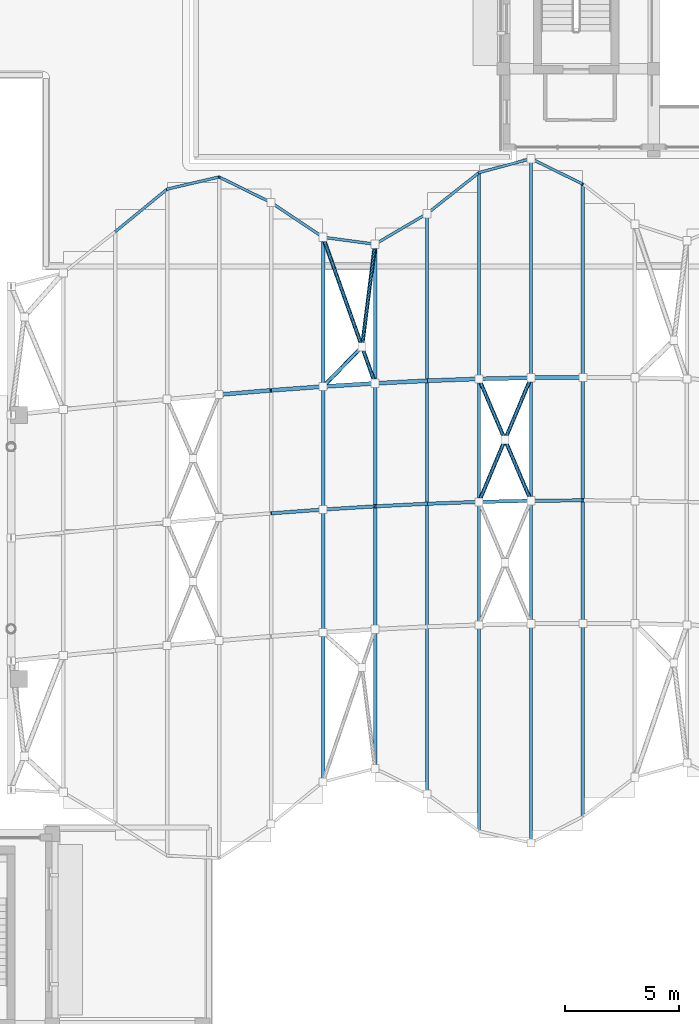
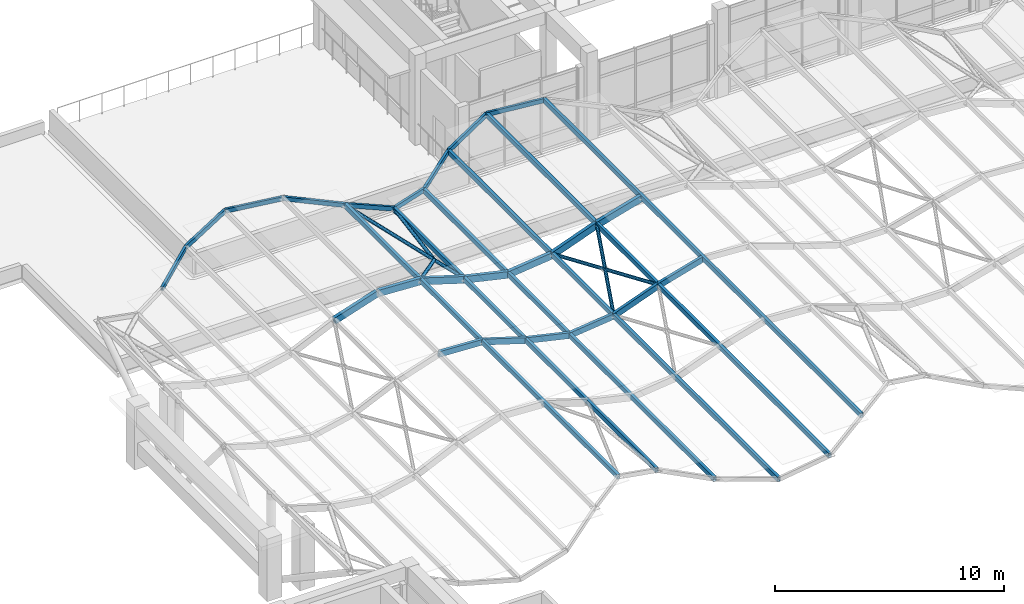
# One storey, part 11 of 79: 34 members.
"""IFC4 building model written with IfcOpenShell, lengths in metres."""

from ifc_helpers import new_model, si_unit, direction, frame, origin, origin_2d, place, context, subcontext, project, spatial, hollow_rectangle, hollow_circle, extrude, material, material_profile, profile_set, type_object, element, save


model = new_model("IFC4")

# Units and contexts
model_context = context("Model", 3, precision=1e-05, world=origin(), true_north=direction((0.0, 1.0)))
body_context = subcontext(model_context, "Body", "Model", "MODEL_VIEW")
ifc_project = project(units=[si_unit("LENGTHUNIT", "METRE"), si_unit("AREAUNIT", "SQUARE_METRE"), si_unit("VOLUMEUNIT", "CUBIC_METRE"), si_unit("PLANEANGLEUNIT", "RADIAN"), si_unit("MASSUNIT", "GRAM", prefix="KILO")], contexts=[model_context])

# Site, building, storey
site_placement = place(None, origin())
site = spatial("IfcSite", under=ifc_project, at=site_placement, CompositionType="ELEMENT")
building_placement = place(site_placement, origin())
building = spatial("IfcBuilding", under=site, at=building_placement, Name="Kolvaren Faculty of Natural Sciences", CompositionType="ELEMENT")
storey_placement = place(building_placement, frame((0.0, 0.0, 10.199951171875)))
storey = spatial("IfcBuildingStorey", under=building, at=storey_placement, Name="L02", CompositionType="ELEMENT", Elevation=10.199951171875)

# Members
ifc_material = material(Name="Structural steel EN 10210-1 S355J2H (white architectural finish)", Category="steel")
ifc_material_profile_1 = material_profile(ifc_material, hollow_circle(Radius=0.084228515625, WallThickness=0.008056640625, at=origin_2d()), Name="CHS 168.3x8")
ifc_profile_set_1 = profile_set([ifc_material_profile_1], Name="Structural steel EN 10210-1 S355J2H (white architectural finish)")
member_type_1 = type_object("IfcMemberType", Name="CanopyGridCrossBrace_CHS168", PredefinedType="BRACE", material=ifc_profile_set_1)
member_1_placement = place(storey_placement, frame((51.69091796875, 68.401123046875, 3.81494140625), z_axis=(0.332884211392, -0.93560908034, -0.117574447015), x_axis=(0.942143722163, 0.335209198543, 0.0)))
element("IfcMember", 1, at=member_1_placement, inside=storey, type_object=member_type_1, Name="Canopy X-brace continuous diagonal N1-7-A", PredefinedType="BRACE", context=body_context, shape_type="SweptSolid", body=[
    extrude(hollow_circle(Radius=0.084228515625, WallThickness=0.008056640625, at=origin_2d()), origin(), (0.0, 0.0, 1.0), 6.8544921875),
])
member_2_placement = place(storey_placement, frame((51.69091796875, 61.846923828125, 3.81494140625), z_axis=(0.679840541892, 0.692933048762, -0.240126274141), x_axis=(-0.713818183124, 0.700331065598, 0.0)))
element("IfcMember", 2, at=member_2_placement, inside=storey, type_object=member_type_1, Name="Canopy X-brace split diagonal N1-7-B1", PredefinedType="BRACE", context=body_context, shape_type="SweptSolid", body=[
    extrude(hollow_circle(Radius=0.084228515625, WallThickness=0.008056640625, at=origin_2d()), origin(), (0.0, 0.0, 1.0), 2.517333984375),
])
member_3_placement = place(storey_placement, frame((53.40234375, 63.59130859375, 3.21044921875), z_axis=(0.125446176501, 0.991110716395, -0.044303551204), x_axis=(-0.992084828985, 0.125569471202, 0.0)))
element("IfcMember", 3, at=member_3_placement, inside=storey, type_object=member_type_1, Name="Canopy X-brace split diagonal N1-7-B2", PredefinedType="BRACE", context=body_context, shape_type="SweptSolid", body=[
    extrude(hollow_circle(Radius=0.084228515625, WallThickness=0.008056640625, at=origin_2d()), origin(), (0.0, 0.0, 1.0), 4.54638671875),
])
member_4_placement = place(storey_placement, frame((58.536376953125, 62.18310546875, 2.59423828125), z_axis=(0.388749220671, -0.911476746476, 0.134477448152), x_axis=(0.919831897508, 0.392312732812, 0.0)))
element("IfcMember", 4, at=member_4_placement, inside=storey, type_object=member_type_1, Name="Canopy X-brace continuous diagonal N2-10-A", PredefinedType="BRACE", context=body_context, shape_type="SweptSolid", body=[
    extrude(hollow_circle(Radius=0.084228515625, WallThickness=0.008056640625, at=origin_2d()), origin(), (0.0, 0.0, 1.0), 5.869384765625),
])
member_5_placement = place(storey_placement, frame((58.536376953125, 56.783203125, 2.59423828125), z_axis=(0.382773309576, 0.914298241277, 0.132451196573), x_axis=(-0.922425243002, 0.386175699744, 0.0)))
element("IfcMember", 5, at=member_5_placement, inside=storey, type_object=member_type_1, Name="Canopy X-brace split diagonal N2-10-B1", PredefinedType="BRACE", context=body_context, shape_type="SweptSolid", body=[
    extrude(hollow_circle(Radius=0.084228515625, WallThickness=0.008056640625, at=origin_2d()), origin(), (0.0, 0.0, 1.0), 2.98046875),
])
member_6_placement = place(storey_placement, frame((59.67724609375, 59.50830078125, 2.989013671875), z_axis=(0.382806130599, 0.914294719371, 0.132380634934), x_axis=(-0.922412917384, 0.386205139587, 0.0)))
element("IfcMember", 6, at=member_6_placement, inside=storey, type_object=member_type_1, Name="Canopy X-brace split diagonal N2-10-B2", PredefinedType="BRACE", context=body_context, shape_type="SweptSolid", body=[
    extrude(hollow_circle(Radius=0.084228515625, WallThickness=0.008056640625, at=origin_2d()), origin(), (0.0, 0.0, 1.0), 2.980224609375),
])
ifc_material_profile_2 = material_profile(ifc_material, hollow_rectangle(XDim=0.14990234375, YDim=0.300048828125, WallThickness=0.010009765625, at=origin_2d()), Name="RHS 300x150x10")
ifc_profile_set_2 = profile_set([ifc_material_profile_2], Name="Structural steel EN 10210-1 S355J2H (white architectural finish)")
member_type_2 = type_object("IfcMemberType", Name="CanopyRidgeChord_RHS300", PredefinedType="PURLIN", material=ifc_profile_set_2)
member_7_placement = place(storey_placement, frame((49.4091796875, 56.280517578125, 4.029541015625), z_axis=(0.991927531578, 0.072383327256, -0.104117366625), x_axis=(-0.072778879193, 0.997348101088, 0.0)))
element("IfcMember", 7, at=member_7_placement, inside=storey, type_object=member_type_2, Name="Covered street wave canopy ridge chord 6", PredefinedType="PURLIN", context=body_context, shape_type="SweptSolid", body=[
    extrude(hollow_rectangle(XDim=0.14990234375, YDim=0.300048828125, WallThickness=0.010009765625, at=origin_2d()), origin(), (0.0, 0.0, 1.0), 2.30029296875),
])
member_8_placement = place(storey_placement, frame((51.69091796875, 56.447021484375, 3.7900390625), z_axis=(0.941283286718, 0.058213325457, -0.332561246816), x_axis=(-0.061726707173, 0.998093088655, 0.0)))
element("IfcMember", 8, at=member_8_placement, inside=storey, type_object=member_type_2, Name="Covered street wave canopy ridge chord 7", PredefinedType="PURLIN", context=body_context, shape_type="SweptSolid", body=[
    extrude(hollow_rectangle(XDim=0.14990234375, YDim=0.300048828125, WallThickness=0.010009765625, at=origin_2d()), origin(), (0.0, 0.0, 1.0), 2.424072265625),
])
member_9_placement = place(storey_placement, frame((53.97265625, 56.588134765625, 2.98388671875), z_axis=(0.966186136082, 0.0477613947, -0.253383503053), x_axis=(-0.049372625492, 0.998780428248, 0.0)))
element("IfcMember", 9, at=member_9_placement, inside=storey, type_object=member_type_2, Name="Covered street wave canopy ridge chord 8", PredefinedType="PURLIN", context=body_context, shape_type="SweptSolid", body=[
    extrude(hollow_rectangle(XDim=0.14990234375, YDim=0.300048828125, WallThickness=0.010009765625, at=origin_2d()), origin(), (0.0, 0.0, 1.0), 2.361572265625),
])
member_10_placement = place(storey_placement, frame((56.25439453125, 56.700927734375, 2.385498046875), z_axis=(0.996136159182, 0.035915040724, 0.080142761496), x_axis=(-0.036030937997, 0.999350674942, 0.0)))
element("IfcMember", 10, at=member_10_placement, inside=storey, type_object=member_type_2, Name="Covered street wave canopy ridge chord 9", PredefinedType="PURLIN", context=body_context, shape_type="SweptSolid", body=[
    extrude(hollow_rectangle(XDim=0.14990234375, YDim=0.300048828125, WallThickness=0.010009765625, at=origin_2d()), origin(), (0.0, 0.0, 1.0), 2.290771484375),
])
member_11_placement = place(storey_placement, frame((58.536376953125, 56.783203125, 2.569091796875), z_axis=(0.944819171734, 0.020724152601, 0.326936143953), x_axis=(-0.021929242743, 0.999759525242, 0.0)))
element("IfcMember", 11, at=member_11_placement, inside=storey, type_object=member_type_2, Name="Covered street wave canopy ridge chord 10", PredefinedType="PURLIN", context=body_context, shape_type="SweptSolid", body=[
    extrude(hollow_rectangle(XDim=0.14990234375, YDim=0.300048828125, WallThickness=0.010009765625, at=origin_2d()), origin(), (0.0, 0.0, 1.0), 2.4150390625),
])
member_12_placement = place(storey_placement, frame((60.818115234375, 56.833251953125, 3.358642578125), z_axis=(0.96313099704, 0.007109878977, 0.268938900425), x_axis=(-0.007381846583, 0.999972753799, 0.0)))
element("IfcMember", 12, at=member_12_placement, inside=storey, type_object=member_type_2, Name="Covered street wave canopy ridge chord 11", PredefinedType="PURLIN", context=body_context, shape_type="SweptSolid", body=[
    extrude(hollow_rectangle(XDim=0.14990234375, YDim=0.300048828125, WallThickness=0.010009765625, at=origin_2d()), origin(), (0.0, 0.0, 1.0), 2.369384765625),
])
ifc_material_profile_3 = material_profile(ifc_material, hollow_rectangle(XDim=0.175048828125, YDim=0.35009765625, WallThickness=0.012451171875, at=origin_2d()), Name="RHS 350x175x12.5")
ifc_profile_set_3 = profile_set([ifc_material_profile_3], Name="Structural steel EN 10210-1 S355J2H (white architectural finish)")
member_type_3 = type_object("IfcMemberType", Name="CanopySpineChord_RHS350", PredefinedType="PURLIN", material=ifc_profile_set_3)
member_13_placement = place(storey_placement, frame((47.127197265625, 61.4921875, 3.447509765625), z_axis=(0.968362548288, 0.079876701052, 0.236418458885), x_axis=(-0.082207164613, 0.99661526282, 0.0)))
element("IfcMember", 13, at=member_13_placement, inside=storey, type_object=member_type_3, Name="Covered street wave canopy n-spine chord 5", PredefinedType="PURLIN", context=body_context, shape_type="SweptSolid", body=[
    extrude(hollow_rectangle(XDim=0.175048828125, YDim=0.35009765625, WallThickness=0.012451171875, at=origin_2d()), origin(), (0.0, 0.0, 1.0), 2.3564453125),
])
member_14_placement = place(storey_placement, frame((49.4091796875, 61.680419921875, 4.004638671875), z_axis=(0.991916564994, 0.072382526998, -0.104222348258), x_axis=(-0.072778879193, 0.997348101088, 0.0)))
element("IfcMember", 14, at=member_14_placement, inside=storey, type_object=member_type_3, Name="Covered street wave canopy n-spine chord 6", PredefinedType="PURLIN", context=body_context, shape_type="SweptSolid", body=[
    extrude(hollow_rectangle(XDim=0.175048828125, YDim=0.35009765625, WallThickness=0.012451171875, at=origin_2d()), origin(), (0.0, 0.0, 1.0), 2.30029296875),
])
member_15_placement = place(storey_placement, frame((51.69091796875, 61.846923828125, 3.764892578125), z_axis=(0.941314810812, 0.058215275053, -0.332471666006), x_axis=(-0.061726707173, 0.998093088655, 0.0)))
element("IfcMember", 15, at=member_15_placement, inside=storey, type_object=member_type_3, Name="Covered street wave canopy n-spine chord 7", PredefinedType="PURLIN", context=body_context, shape_type="SweptSolid", body=[
    extrude(hollow_rectangle(XDim=0.175048828125, YDim=0.35009765625, WallThickness=0.012451171875, at=origin_2d()), origin(), (0.0, 0.0, 1.0), 2.424072265625),
])
member_16_placement = place(storey_placement, frame((53.97265625, 61.988037109375, 2.958984375), z_axis=(0.966160822962, 0.047760143399, -0.25348024159), x_axis=(-0.049372625492, 0.998780428248, 0.0)))
element("IfcMember", 16, at=member_16_placement, inside=storey, type_object=member_type_3, Name="Covered street wave canopy n-spine chord 8", PredefinedType="PURLIN", context=body_context, shape_type="SweptSolid", body=[
    extrude(hollow_rectangle(XDim=0.175048828125, YDim=0.35009765625, WallThickness=0.012451171875, at=origin_2d()), origin(), (0.0, 0.0, 1.0), 2.361572265625),
])
member_17_placement = place(storey_placement, frame((56.25439453125, 62.100830078125, 2.3603515625), z_axis=(0.996127645595, 0.035914733772, 0.080248648458), x_axis=(-0.036030937997, 0.999350674942, 0.0)))
element("IfcMember", 17, at=member_17_placement, inside=storey, type_object=member_type_3, Name="Covered street wave canopy n-spine chord 9", PredefinedType="PURLIN", context=body_context, shape_type="SweptSolid", body=[
    extrude(hollow_rectangle(XDim=0.175048828125, YDim=0.35009765625, WallThickness=0.012451171875, at=origin_2d()), origin(), (0.0, 0.0, 1.0), 2.290771484375),
])
member_18_placement = place(storey_placement, frame((58.536376953125, 62.18310546875, 2.544189453125), z_axis=(0.944819171734, 0.020724152601, 0.326936143953), x_axis=(-0.021929242743, 0.999759525242, 0.0)))
element("IfcMember", 18, at=member_18_placement, inside=storey, type_object=member_type_3, Name="Covered street wave canopy n-spine chord 10", PredefinedType="PURLIN", context=body_context, shape_type="SweptSolid", body=[
    extrude(hollow_rectangle(XDim=0.175048828125, YDim=0.35009765625, WallThickness=0.012451171875, at=origin_2d()), origin(), (0.0, 0.0, 1.0), 2.4150390625),
])
member_19_placement = place(storey_placement, frame((60.818115234375, 62.233154296875, 3.333740234375), z_axis=(0.96313099704, 0.007109878977, 0.268938900425), x_axis=(-0.007381846583, 0.999972753799, 0.0)))
element("IfcMember", 19, at=member_19_placement, inside=storey, type_object=member_type_3, Name="Covered street wave canopy n-spine chord 11", PredefinedType="PURLIN", context=body_context, shape_type="SweptSolid", body=[
    extrude(hollow_rectangle(XDim=0.175048828125, YDim=0.35009765625, WallThickness=0.012451171875, at=origin_2d()), origin(), (0.0, 0.0, 1.0), 2.369384765625),
])
ifc_material_profile_4 = material_profile(ifc_material, hollow_rectangle(XDim=0.14990234375, YDim=0.25, WallThickness=0.010009765625, at=origin_2d()), Name="RHS 250x150x10")
ifc_profile_set_4 = profile_set([ifc_material_profile_4], Name="Structural steel EN 10210-1 S355J2H (white architectural finish)")
member_type_4 = type_object("IfcMemberType", Name="CanopyTransverseRafter_RHS250", PredefinedType="RAFTER", material=ifc_profile_set_4)
member_20_placement = place(storey_placement, frame((51.69091796875, 44.492919921875, 3.81494140625), z_axis=(0.0, 1.0, 0.0), x_axis=(-1.0, 0.0, 0.0)))
element("IfcMember", 20, at=member_20_placement, inside=storey, type_object=member_type_4, Name="Covered street canopy transverse rafter 7", PredefinedType="RAFTER", context=body_context, shape_type="SweptSolid", body=[
    extrude(hollow_rectangle(XDim=0.14990234375, YDim=0.25, WallThickness=0.010009765625, at=origin_2d()), origin(), (0.0, 0.0, 1.0), 23.908203125),
])
member_21_placement = place(storey_placement, frame((53.97265625, 45.0791015625, 3.009033203125), z_axis=(0.0, 1.0, 0.0), x_axis=(-1.0, 0.0, 0.0)))
element("IfcMember", 21, at=member_21_placement, inside=storey, type_object=member_type_4, Name="Covered street canopy transverse rafter 8", PredefinedType="RAFTER", context=body_context, shape_type="SweptSolid", body=[
    extrude(hollow_rectangle(XDim=0.14990234375, YDim=0.25, WallThickness=0.010009765625, at=origin_2d()), origin(), (0.0, 0.0, 1.0), 23.01806640625),
])
member_22_placement = place(storey_placement, frame((56.25439453125, 43.965087890625, 2.410400390625), z_axis=(0.0, 1.0, 0.0), x_axis=(-1.0, 0.0, 0.0)))
element("IfcMember", 22, at=member_22_placement, inside=storey, type_object=member_type_4, Name="Covered street canopy transverse rafter 9", PredefinedType="RAFTER", context=body_context, shape_type="SweptSolid", body=[
    extrude(hollow_rectangle(XDim=0.14990234375, YDim=0.25, WallThickness=0.010009765625, at=origin_2d()), origin(), (0.0, 0.0, 1.0), 25.4716796875),
])
member_23_placement = place(storey_placement, frame((58.536376953125, 42.326904296875, 2.59423828125), z_axis=(0.0, 1.0, 0.0), x_axis=(-1.0, 0.0, 0.0)))
element("IfcMember", 23, at=member_23_placement, inside=storey, type_object=member_type_4, Name="Covered street canopy transverse rafter 10", PredefinedType="RAFTER", context=body_context, shape_type="SweptSolid", body=[
    extrude(hollow_rectangle(XDim=0.14990234375, YDim=0.25, WallThickness=0.010009765625, at=origin_2d()), origin(), (0.0, 0.0, 1.0), 28.91259765625),
])
member_24_placement = place(storey_placement, frame((60.818115234375, 41.814697265625, 3.383544921875), z_axis=(0.0, 1.0, 0.0), x_axis=(-1.0, 0.0, 0.0)))
element("IfcMember", 24, at=member_24_placement, inside=storey, type_object=member_type_4, Name="Covered street canopy transverse rafter 11", PredefinedType="RAFTER", context=body_context, shape_type="SweptSolid", body=[
    extrude(hollow_rectangle(XDim=0.14990234375, YDim=0.25, WallThickness=0.010009765625, at=origin_2d()), origin(), (0.0, 0.0, 1.0), 30.036865234375),
])
member_25_placement = place(storey_placement, frame((63.10009765625, 42.967529296875, 4.020751953125), z_axis=(0.0, 1.0, 0.0), x_axis=(-1.0, 0.0, 0.0)))
element("IfcMember", 25, at=member_25_placement, inside=storey, type_object=member_type_4, Name="Covered street canopy transverse rafter 12", PredefinedType="RAFTER", context=body_context, shape_type="SweptSolid", body=[
    extrude(hollow_rectangle(XDim=0.14990234375, YDim=0.25, WallThickness=0.010009765625, at=origin_2d()), origin(), (0.0, 0.0, 1.0), 27.764892578125),
])
ifc_material_profile_5 = material_profile(ifc_material, hollow_rectangle(XDim=0.1201171875, YDim=0.219970703125, WallThickness=0.008056640625, at=origin_2d()), Name="RHS 220x120x8")
ifc_profile_set_5 = profile_set([ifc_material_profile_5], Name="Structural steel EN 10210-1 S355J2H (white architectural finish)")
member_type_5 = type_object("IfcMemberType", Name="CanopyWaveEdgeChord_RHS220", PredefinedType="RAFTER", material=ifc_profile_set_5)
member_26_placement = place(storey_placement, frame((42.563720703125, 68.644287109375, 2.399658203125), z_axis=(0.769521849776, 0.630866297131, 0.099216116946), x_axis=(-0.633994483964, 0.773337568145, 0.0)))
element("IfcMember", 26, at=member_26_placement, inside=storey, type_object=member_type_5, Name="Covered street wave canopy n-wave chord 3", PredefinedType="RAFTER", context=body_context, shape_type="SweptSolid", body=[
    extrude(hollow_rectangle(XDim=0.1201171875, YDim=0.219970703125, WallThickness=0.008056640625, at=origin_2d()), origin(), (0.0, 0.0, 1.0), 2.965087890625),
])
member_27_placement = place(storey_placement, frame((44.845458984375, 70.514892578125, 2.69384765625), z_axis=(0.919360461133, 0.214445303367, 0.329832615684), x_axis=(-0.227157146751, 0.973858116298, 0.0)))
element("IfcMember", 27, at=member_27_placement, inside=storey, type_object=member_type_5, Name="Covered street wave canopy n-wave chord 4", PredefinedType="RAFTER", context=body_context, shape_type="SweptSolid", body=[
    extrude(hollow_rectangle(XDim=0.1201171875, YDim=0.219970703125, WallThickness=0.008056640625, at=origin_2d()), origin(), (0.0, 0.0, 1.0), 2.48193359375),
])
member_28_placement = place(storey_placement, frame((47.127197265625, 71.047119140625, 3.512451171875), z_axis=(0.876414688303, -0.431409434138, 0.213970077962), x_axis=(0.441637667544, 0.897193496748, 0.0)))
element("IfcMember", 28, at=member_28_placement, inside=storey, type_object=member_type_5, Name="Covered street wave canopy n-wave chord 5", PredefinedType="RAFTER", context=body_context, shape_type="SweptSolid", body=[
    extrude(hollow_rectangle(XDim=0.1201171875, YDim=0.219970703125, WallThickness=0.008056640625, at=origin_2d()), origin(), (0.0, 0.0, 1.0), 2.603759765625),
])
member_29_placement = place(storey_placement, frame((49.4091796875, 69.923828125, 4.069580078125), z_axis=(0.828631387229, -0.552982448336, -0.087065698936), x_axis=(0.555090364136, 0.831790050219, 0.0)))
element("IfcMember", 29, at=member_29_placement, inside=storey, type_object=member_type_5, Name="Covered street wave canopy n-wave chord 6", PredefinedType="RAFTER", context=body_context, shape_type="SweptSolid", body=[
    extrude(hollow_rectangle(XDim=0.1201171875, YDim=0.219970703125, WallThickness=0.008056640625, at=origin_2d()), origin(), (0.0, 0.0, 1.0), 2.753662109375),
])
member_30_placement = place(storey_placement, frame((51.69091796875, 68.401123046875, 3.829833984375), z_axis=(0.935562524721, -0.12462821991, -0.33043996299), x_axis=(0.132045616586, 0.991243640656, 0.0)))
element("IfcMember", 30, at=member_30_placement, inside=storey, type_object=member_type_5, Name="Covered street wave canopy n-wave chord 7", PredefinedType="RAFTER", context=body_context, shape_type="SweptSolid", body=[
    extrude(hollow_rectangle(XDim=0.1201171875, YDim=0.219970703125, WallThickness=0.008056640625, at=origin_2d()), origin(), (0.0, 0.0, 1.0), 2.43896484375),
])
member_31_placement = place(storey_placement, frame((53.97265625, 68.09716796875, 3.02392578125), z_axis=(0.841121278279, 0.493819008551, -0.220585090206), x_axis=(-0.5062900801, 0.862363238312, 0.0)))
element("IfcMember", 31, at=member_31_placement, inside=storey, type_object=member_type_5, Name="Covered street wave canopy n-wave chord 8", PredefinedType="RAFTER", context=body_context, shape_type="SweptSolid", body=[
    extrude(hollow_rectangle(XDim=0.1201171875, YDim=0.219970703125, WallThickness=0.008056640625, at=origin_2d()), origin(), (0.0, 0.0, 1.0), 2.712646484375),
])
member_32_placement = place(storey_placement, frame((56.25439453125, 69.436767578125, 2.425537109375), z_axis=(0.783128143632, 0.618660341562, 0.06300549524), x_axis=(-0.61989195526, 0.784687175761, 0.0)))
element("IfcMember", 32, at=member_32_placement, inside=storey, type_object=member_type_5, Name="Covered street wave canopy n-wave chord 9", PredefinedType="RAFTER", context=body_context, shape_type="SweptSolid", body=[
    extrude(hollow_rectangle(XDim=0.1201171875, YDim=0.219970703125, WallThickness=0.008056640625, at=origin_2d()), origin(), (0.0, 0.0, 1.0), 2.913818359375),
])
member_33_placement = place(storey_placement, frame((58.536376953125, 71.239501953125, 2.609130859375), z_axis=(0.916047722735, 0.245723479659, 0.316980348312), x_axis=(-0.25908389038, 0.965854822293, 0.0)))
element("IfcMember", 33, at=member_33_placement, inside=storey, type_object=member_type_5, Name="Covered street wave canopy n-wave chord 10", PredefinedType="RAFTER", context=body_context, shape_type="SweptSolid", body=[
    extrude(hollow_rectangle(XDim=0.1201171875, YDim=0.219970703125, WallThickness=0.008056640625, at=origin_2d()), origin(), (0.0, 0.0, 1.0), 2.490966796875),
])
member_34_placement = place(storey_placement, frame((60.818115234375, 71.8515625, 3.398681640625), z_axis=(0.870887191713, -0.427104620393, 0.243181295642), x_axis=(0.44032273272, 0.897839568659, 0.0)))
element("IfcMember", 34, at=member_34_placement, inside=storey, type_object=member_type_5, Name="Covered street wave canopy n-wave chord 11", PredefinedType="RAFTER", context=body_context, shape_type="SweptSolid", body=[
    extrude(hollow_rectangle(XDim=0.1201171875, YDim=0.219970703125, WallThickness=0.008056640625, at=origin_2d()), origin(), (0.0, 0.0, 1.0), 2.620361328125),
])

save(model, "model.ifc")
